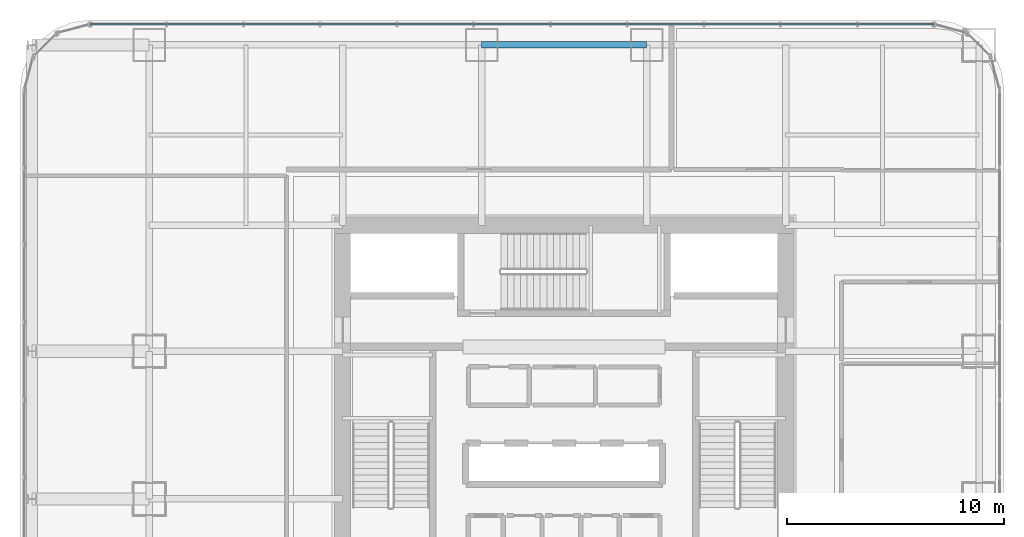
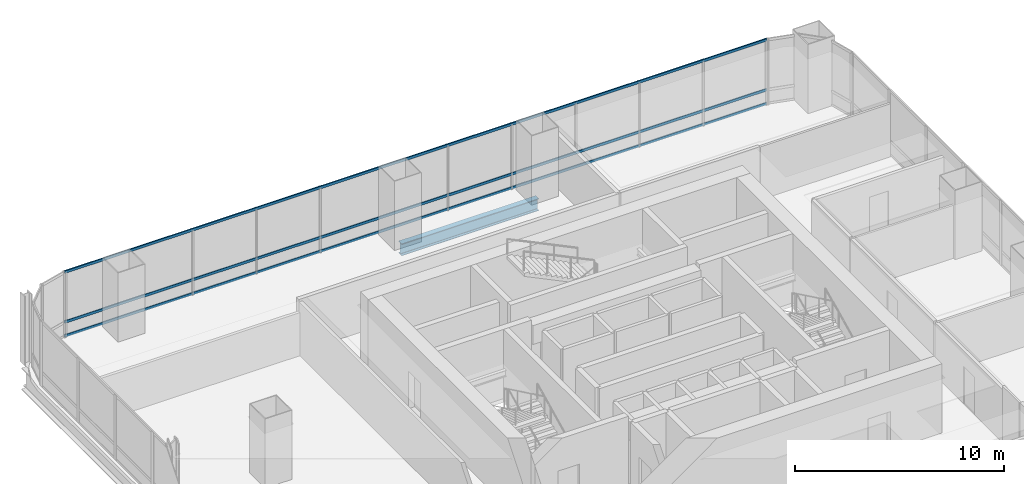
# One storey, part 22 of 35: 3 members, 1 beam, 1 element without a shape of its own.
"""IFC4 building model written with IfcOpenShell, lengths in metres."""

from ifc_helpers import new_model, si_unit, direction, frame, origin, origin_2d, place, context, subcontext, project, spatial, hollow_rectangle, i_section, extrude, material, material_profile, profile_set, type_object, element, aggregate, save


model = new_model("IFC4")

# Units and contexts
model_context = context("Model", 3, precision=1e-05, world=origin(), true_north=direction((0.0, 1.0)))
body_context = subcontext(model_context, "Body", "Model", "MODEL_VIEW")
ifc_project = project(units=[si_unit("LENGTHUNIT", "METRE"), si_unit("AREAUNIT", "SQUARE_METRE"), si_unit("VOLUMEUNIT", "CUBIC_METRE"), si_unit("PLANEANGLEUNIT", "RADIAN"), si_unit("MASSUNIT", "GRAM", prefix="KILO")], contexts=[model_context])

# Site, building, storey
site_placement = place(None, origin())
site = spatial("IfcSite", under=ifc_project, at=site_placement, CompositionType="ELEMENT")
building_placement = place(site_placement, origin())
building = spatial("IfcBuilding", under=site, at=building_placement, Name="Punatoya Terracotta Tower", CompositionType="ELEMENT")
storey_placement = place(building_placement, frame((0.0, 0.0, 52.5)))
storey = spatial("IfcBuildingStorey", under=building, at=storey_placement, Name="L11", CompositionType="ELEMENT", Elevation=52.5)

# Beam
ifc_material_1 = material(Name="Steel S355", Category="steel")
ifc_material_profile_1 = material_profile(ifc_material_1, i_section(OverallWidth=0.300048828125, OverallDepth=0.699951171875, WebThickness=0.01708984375, FlangeThickness=0.031982421875, FilletRadius=0.01806640625, at=origin_2d()))
ifc_profile_set_1 = profile_set([ifc_material_profile_1], Name="Steel S355")
beam_type = type_object("IfcBeamType", Name="BM-PRI-700", PredefinedType="BEAM", material=ifc_profile_set_1)
beam_placement = place(storey_placement, frame((-3.800048828125, 17.5, -0.590087890625), z_axis=(1.0, 0.0, 0.0), x_axis=(0.0, 1.0, 0.0)))
element("IfcBeam", 1, at=beam_placement, inside=storey, type_object=beam_type, Name="BM-L11-RG-N2", PredefinedType="BEAM", context=body_context, shape_type="SweptSolid", body=[
    extrude(i_section(OverallWidth=0.300048828125, OverallDepth=0.699951171875, WebThickness=0.01708984375, FlangeThickness=0.031982421875, FilletRadius=0.01806640625, at=origin_2d()), origin(), (0.0, 0.0, 1.0), 7.60009765625),
])

# Curtain wall, members
ifc_material_2 = material(Name="Aluminium 6063-T6 + Double Low-E Glass", Category="aluminium")
curtain_wall_type = type_object("IfcCurtainWallType", Name="CW-M1", PredefinedType="NOTDEFINED", material=ifc_material_2)
curtain_wall_placement = place(storey_placement, origin())
curtain_wall = element("IfcCurtainWall", 2, at=curtain_wall_placement, inside=storey, type_object=curtain_wall_type, Name="L11 Curtain Wall CW-L11-N09-1", PredefinedType="NOTDEFINED")
ifc_material_3 = material(Name="Aluminium 6063-T6", Category="aluminium")
ifc_material_profile_2 = material_profile(ifc_material_3, hollow_rectangle(XDim=0.068115234375, YDim=0.14990234375, WallThickness=0.00390625, at=origin_2d()))
ifc_profile_set_2 = profile_set([ifc_material_profile_2], Name="Aluminium 6063-T6")
member_type = type_object("IfcMemberType", Name="CW-TRN-TYP", PredefinedType="USERDEFINED", material=ifc_profile_set_2)
member_1_placement = place(storey_placement, frame((17.036865234375, 18.449951171875, 0.0400390625), z_axis=(-1.0, 0.0, 0.0), x_axis=(0.0, -1.0, 0.0)))
member_1 = element("IfcMember", 3, at=member_1_placement, type_object=member_type, Name="CW-L11-N09-1 Transom 1", ObjectType="TRANSOM", PredefinedType="USERDEFINED", context=body_context, shape_type="SweptSolid", body=[
    extrude(hollow_rectangle(XDim=0.068115234375, YDim=0.14990234375, WallThickness=0.00390625, at=origin_2d()), origin(), (0.0, 0.0, 1.0), 38.873779296875),
])
member_2_placement = place(storey_placement, frame((17.036865234375, 18.449951171875, 0.85009765625), z_axis=(-1.0, 0.0, 0.0), x_axis=(0.0, -1.0, 0.0)))
member_2 = element("IfcMember", 4, at=member_2_placement, type_object=member_type, Name="CW-L11-N09-1 Transom 2", ObjectType="TRANSOM", PredefinedType="USERDEFINED", context=body_context, shape_type="SweptSolid", body=[
    extrude(hollow_rectangle(XDim=0.068115234375, YDim=0.14990234375, WallThickness=0.00390625, at=origin_2d()), origin(), (0.0, 0.0, 1.0), 38.873779296875),
])
member_3_placement = place(storey_placement, frame((17.036865234375, 18.449951171875, 3.77001953125), z_axis=(-1.0, 0.0, 0.0), x_axis=(0.0, -1.0, 0.0)))
member_3 = element("IfcMember", 5, at=member_3_placement, type_object=member_type, Name="CW-L11-N09-1 Transom 3", ObjectType="TRANSOM", PredefinedType="USERDEFINED", context=body_context, shape_type="SweptSolid", body=[
    extrude(hollow_rectangle(XDim=0.068115234375, YDim=0.14990234375, WallThickness=0.00390625, at=origin_2d()), origin(), (0.0, 0.0, 1.0), 38.873779296875),
])
aggregate(curtain_wall, [member_1, member_2, member_3])

save(model, "model.ifc")
